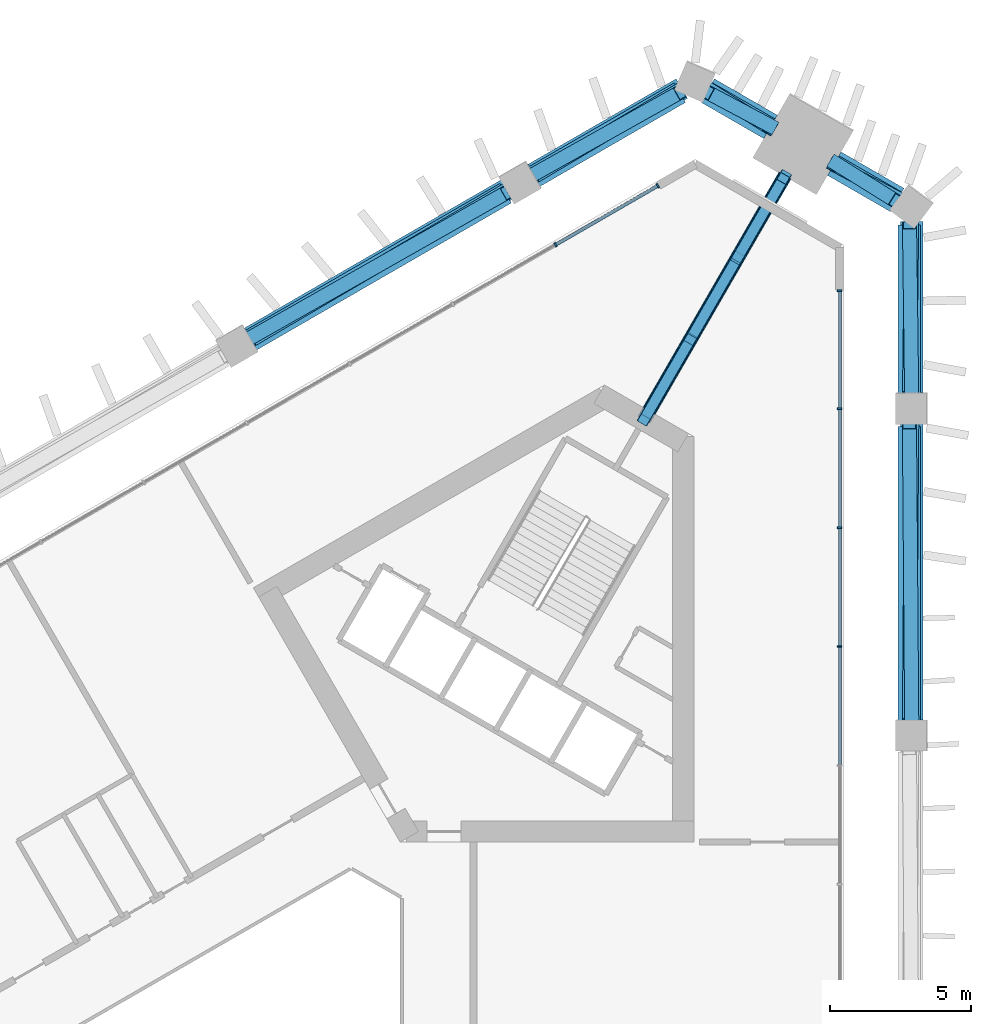
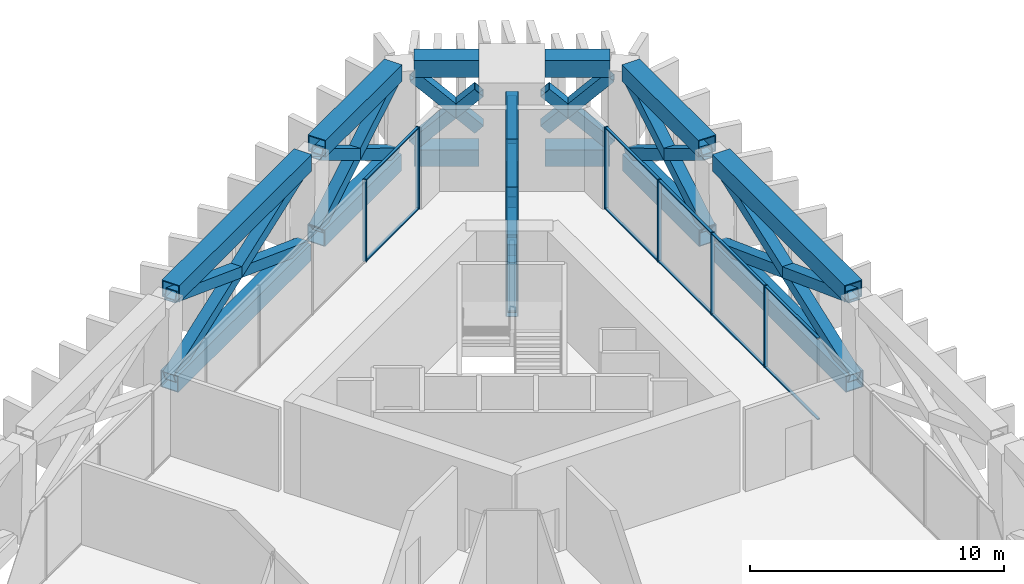
# One storey, part 10 of 17: 52 members, 2 elements without a shape of their own.
"""IFC4 building model written with IfcOpenShell, lengths in metres."""

from ifc_helpers import new_model, si_unit, direction, frame, origin, origin_2d, place, context, subcontext, project, spatial, rectangle, hollow_rectangle, extrude, material, layer, layer_set, material_profile, profile_set, type_object, element, aggregate, save


model = new_model("IFC4")

# Units and contexts
model_context = context("Model", 3, precision=1e-05, world=origin(), true_north=direction((0.0, 1.0)))
body_context = subcontext(model_context, "Body", "Model", "MODEL_VIEW")
ifc_project = project(units=[si_unit("LENGTHUNIT", "METRE"), si_unit("AREAUNIT", "SQUARE_METRE"), si_unit("VOLUMEUNIT", "CUBIC_METRE"), si_unit("PLANEANGLEUNIT", "RADIAN"), si_unit("MASSUNIT", "GRAM", prefix="KILO")], contexts=[model_context])

# Site, building, storey
site_placement = place(None, origin())
site = spatial("IfcSite", under=ifc_project, at=site_placement, CompositionType="ELEMENT")
building_placement = place(site_placement, origin())
building = spatial("IfcBuilding", under=site, at=building_placement, Name="Jabali Bay Hotel Tower and Convention Centre", CompositionType="ELEMENT")
storey_placement = place(building_placement, frame((0.0, 0.0, 102.39990234375)))
storey = spatial("IfcBuildingStorey", under=building, at=storey_placement, Name="L24", CompositionType="ELEMENT", Elevation=102.39990234375)

# Members
ifc_material_1 = material(Name="Steel Q420GJC", Category="steel")
ifc_material_profile_1 = material_profile(ifc_material_1, hollow_rectangle(XDim=0.5, YDim=0.5, WallThickness=0.030029296875, at=origin_2d()), Name="Belt brace 500x500x30")
ifc_profile_set_1 = profile_set([ifc_material_profile_1], Name="Steel Q420GJC")
member_type_1 = type_object("IfcMemberType", Name="Belt brace 500x500x30", PredefinedType="BRACE", material=ifc_profile_set_1)
member_1_placement = place(storey_placement, frame((92.6123046875, 113.103759765625, 1.297119140625), z_axis=(-0.625151543258, 0.33215395171, 0.706299724144), x_axis=(-0.46920170998, -0.883091023254, 0.0)))
element("IfcMember", 1, at=member_1_placement, inside=storey, type_object=member_type_1, Name="Belt brace T2 M1-V2 x1", PredefinedType="BRACE", context=body_context, shape_type="SweptSolid", body=[
    extrude(hollow_rectangle(XDim=0.5, YDim=0.5, WallThickness=0.030029296875, at=origin_2d()), origin(), (0.0, 0.0, 1.0), 3.6162109375),
])
member_2_placement = place(storey_placement, frame((90.3984375, 114.412353515625, 0.547119140625), z_axis=(0.601155993009, -0.37574772037, 0.70528371788), x_axis=(0.530024526579, 0.847982311858, 0.0)))
element("IfcMember", 2, at=member_2_placement, inside=storey, type_object=member_type_1, Name="Belt brace T2 M1-V2 x2", PredefinedType="BRACE", context=body_context, shape_type="SweptSolid", body=[
    extrude(hollow_rectangle(XDim=0.5, YDim=0.5, WallThickness=0.030029296875, at=origin_2d()), origin(), (0.0, 0.0, 1.0), 3.62939453125),
])
member_3_placement = place(storey_placement, frame((89.459228515625, 114.423095703125, 0.334228515625), z_axis=(-0.734817529099, -0.436386019084, 0.519240253907), x_axis=(0.51061497829, -0.859809481191, 0.0)))
element("IfcMember", 3, at=member_3_placement, inside=storey, type_object=member_type_1, Name="Belt brace T2 V2-F1.1 x1", PredefinedType="BRACE", context=body_context, shape_type="SweptSolid", body=[
    extrude(hollow_rectangle(XDim=0.5, YDim=0.5, WallThickness=0.030029296875, at=origin_2d()), origin(), (0.0, 0.0, 1.0), 7.186767578125),
])
member_4_placement = place(storey_placement, frame((84.221923828125, 111.39892578125, 0.3447265625), z_axis=(0.739102822637, 0.414362992183, 0.531065276853), x_axis=(-0.489021452064, 0.87227175778, 0.0)))
element("IfcMember", 4, at=member_4_placement, inside=storey, type_object=member_type_1, Name="Belt brace T2 V2-F1.1 x2", PredefinedType="BRACE", context=body_context, shape_type="SweptSolid", body=[
    extrude(hollow_rectangle(XDim=0.5, YDim=0.5, WallThickness=0.030029296875, at=origin_2d()), origin(), (0.0, 0.0, 1.0), 6.9873046875),
])
member_5_placement = place(storey_placement, frame((83.267822265625, 110.851318359375, 0.20849609375), z_axis=(-0.806265923934, -0.473763194384, 0.354236778935), x_axis=(0.506614205048, -0.862172863899, 0.0)))
element("IfcMember", 5, at=member_5_placement, inside=storey, type_object=member_type_1, Name="Belt brace T2 F1.1-F1.2 x1", PredefinedType="BRACE", context=body_context, shape_type="SweptSolid", body=[
    extrude(hollow_rectangle(XDim=0.5, YDim=0.5, WallThickness=0.030029296875, at=origin_2d()), origin(), (0.0, 0.0, 1.0), 11.244384765625),
])
member_6_placement = place(storey_placement, frame((74.202392578125, 105.617431640625, 0.2109375), z_axis=(0.812203812766, 0.460572560313, 0.358047319798), x_axis=(-0.493274994833, 0.869873427271, 0.0)))
element("IfcMember", 6, at=member_6_placement, inside=storey, type_object=member_type_1, Name="Belt brace T2 F1.1-F1.2 x2", PredefinedType="BRACE", context=body_context, shape_type="SweptSolid", body=[
    extrude(hollow_rectangle(XDim=0.5, YDim=0.5, WallThickness=0.030029296875, at=origin_2d()), origin(), (0.0, 0.0, 1.0), 11.111083984375),
])
member_7_placement = place(storey_placement, frame((97.583984375, 92.117919921875, 0.2109375), z_axis=(-0.007229101466, 0.933674709677, 0.358049265607), x_axis=(-0.999970027158, -0.007742401839, 0.0)))
element("IfcMember", 7, at=member_7_placement, inside=storey, type_object=member_type_1, Name="Belt brace T2 F0.4-F0.5 x1", PredefinedType="BRACE", context=body_context, shape_type="SweptSolid", body=[
    extrude(hollow_rectangle(XDim=0.5, YDim=0.5, WallThickness=0.030029296875, at=origin_2d()), origin(), (0.0, 0.0, 1.0), 11.11083984375),
])
member_8_placement = place(storey_placement, frame((97.584228515625, 102.5859375, 0.20849609375), z_axis=(-0.007165069022, -0.935128356662, 0.35423666997), x_axis=(0.999970647224, -0.007661898665, 0.0)))
element("IfcMember", 8, at=member_8_placement, inside=storey, type_object=member_type_1, Name="Belt brace T2 F0.4-F0.5 x2", PredefinedType="BRACE", context=body_context, shape_type="SweptSolid", body=[
    extrude(hollow_rectangle(XDim=0.5, YDim=0.5, WallThickness=0.030029296875, at=origin_2d()), origin(), (0.0, 0.0, 1.0), 11.244384765625),
])
member_9_placement = place(storey_placement, frame((97.581298828125, 103.685791015625, 0.3447265625), z_axis=(-0.010726676426, 0.847267676409, 0.53105783388), x_axis=(-0.999919867834, -0.012659301391, 0.0)))
element("IfcMember", 9, at=member_9_placement, inside=storey, type_object=member_type_1, Name="Belt brace T2 F0.5-V1 x1", PredefinedType="BRACE", context=body_context, shape_type="SweptSolid", body=[
    extrude(hollow_rectangle(XDim=0.5, YDim=0.5, WallThickness=0.030029296875, at=origin_2d()), origin(), (0.0, 0.0, 1.0), 6.9873046875),
])
member_10_placement = place(storey_placement, frame((97.58154296875, 109.733642578125, 0.334228515625), z_axis=(-0.01046294149, -0.854564143258, 0.519240456738), x_axis=(0.999925055556, -0.012242682347, 0.0)))
element("IfcMember", 10, at=member_10_placement, inside=storey, type_object=member_type_1, Name="Belt brace T2 F0.5-V1 x2", PredefinedType="BRACE", context=body_context, shape_type="SweptSolid", body=[
    extrude(hollow_rectangle(XDim=0.5, YDim=0.5, WallThickness=0.030029296875, at=origin_2d()), origin(), (0.0, 0.0, 1.0), 7.186767578125),
])
member_11_placement = place(storey_placement, frame((97.102783203125, 110.541748046875, 0.547119140625), z_axis=(-0.626030523079, 0.332690122182, 0.705268081496), x_axis=(-0.469277778127, -0.883050602715, 0.0)))
element("IfcMember", 11, at=member_11_placement, inside=storey, type_object=member_type_1, Name="Belt brace T2 V1-M1 x1", PredefinedType="BRACE", context=body_context, shape_type="SweptSolid", body=[
    extrude(hollow_rectangle(XDim=0.5, YDim=0.5, WallThickness=0.030029296875, at=origin_2d()), origin(), (0.0, 0.0, 1.0), 3.629638671875),
])
member_12_placement = place(storey_placement, frame((94.862548828125, 111.804443359375, 1.297119140625), z_axis=(0.600242237457, -0.375294859749, 0.706302360621), x_axis=(0.53014466139, 0.847907210725, 0.0)))
element("IfcMember", 12, at=member_12_placement, inside=storey, type_object=member_type_1, Name="Belt brace T2 V1-M1 x2", PredefinedType="BRACE", context=body_context, shape_type="SweptSolid", body=[
    extrude(hollow_rectangle(XDim=0.5, YDim=0.5, WallThickness=0.030029296875, at=origin_2d()), origin(), (0.0, 0.0, 1.0), 3.6162109375),
])
ifc_material_profile_2 = material_profile(ifc_material_1, hollow_rectangle(XDim=0.800048828125, YDim=0.800048828125, WallThickness=0.0400390625, at=origin_2d()), Name="Belt chord 800x800x40")
ifc_profile_set_2 = profile_set([ifc_material_profile_2], Name="Steel Q420GJC")
member_type_2 = type_object("IfcMemberType", Name="Belt chord 800x800x40", PredefinedType="CHORD", material=ifc_profile_set_2)
member_13_placement = place(storey_placement, frame((92.63427734375, 113.1435546875, 0.0), z_axis=(-0.866013163002, 0.500021201058, 0.0), x_axis=(-0.500021201058, -0.866013163002, 0.0)))
element("IfcMember", 13, at=member_13_placement, inside=storey, type_object=member_type_2, Name="Belt chord T2 M1-V2", PredefinedType="CHORD", context=body_context, shape_type="SweptSolid", body=[
    extrude(hollow_rectangle(XDim=0.800048828125, YDim=0.800048828125, WallThickness=0.0400390625, at=origin_2d()), origin(), (0.0, 0.0, 1.0), 2.5703125),
])
member_14_placement = place(storey_placement, frame((89.455810546875, 114.4287109375, 0.0), z_axis=(-0.866030962246, -0.499990372339, 0.0), x_axis=(0.499990372339, -0.866030962246, 0.0)))
element("IfcMember", 14, at=member_14_placement, inside=storey, type_object=member_type_2, Name="Belt chord T2 V2-F1.1", PredefinedType="CHORD", context=body_context, shape_type="SweptSolid", body=[
    extrude(hollow_rectangle(XDim=0.800048828125, YDim=0.800048828125, WallThickness=0.0400390625, at=origin_2d()), origin(), (0.0, 0.0, 1.0), 6.04736328125),
])
for number, where, z_axis, x_axis, name in (
    (15, (83.265869140625, 110.85498046875, 0.0), (-0.866032953093, -0.499986923987, 0.0), (0.499986923987, -0.866032953093, 0.0), "Belt chord T2 F1.1-F1.2"),
    (16, (97.58837890625, 92.117919921875, 0.0), (0.0, 1.0, 0.0), (-1.0, 0.0, 0.0), "Belt chord T2 F0.4-F0.5"),
):
    element("IfcMember", number, at=place(storey_placement, frame(where, z_axis=z_axis, x_axis=x_axis)), inside=storey, type_object=member_type_2, Name=name, PredefinedType="CHORD", context=body_context, shape_type="SweptSolid", body=[
        extrude(hollow_rectangle(XDim=0.800048828125, YDim=0.800048828125, WallThickness=0.0400390625, at=origin_2d()), origin(), (0.0, 0.0, 1.0), 10.468017578125),
    ])
member_15_placement = place(storey_placement, frame((97.58837890625, 103.685791015625, 0.0), z_axis=(0.0, 1.0, 0.0), x_axis=(-1.0, 0.0, 0.0)))
element("IfcMember", 17, at=member_15_placement, inside=storey, type_object=member_type_2, Name="Belt chord T2 F0.5-V1", PredefinedType="CHORD", context=body_context, shape_type="SweptSolid", body=[
    extrude(hollow_rectangle(XDim=0.800048828125, YDim=0.800048828125, WallThickness=0.0400390625, at=origin_2d()), origin(), (0.0, 0.0, 1.0), 6.047607421875),
])
member_16_placement = place(storey_placement, frame((97.112060546875, 110.55859375, 0.0), z_axis=(-0.866036909293, 0.499980071345, 0.0), x_axis=(-0.499980071345, -0.866036909293, 0.0)))
element("IfcMember", 18, at=member_16_placement, inside=storey, type_object=member_type_2, Name="Belt chord T2 V1-M1", PredefinedType="CHORD", context=body_context, shape_type="SweptSolid", body=[
    extrude(hollow_rectangle(XDim=0.800048828125, YDim=0.800048828125, WallThickness=0.0400390625, at=origin_2d()), origin(), (0.0, 0.0, 1.0), 2.5703125),
])
member_17_placement = place(storey_placement, frame((92.556884765625, 113.009521484375, 4.400146484375), z_axis=(-0.866031368865, 0.499989668035, 0.0), x_axis=(-0.499989668035, -0.866031368865, 0.0)))
element("IfcMember", 19, at=member_17_placement, inside=storey, type_object=member_type_2, Name="Belt chord T2 M1-V2", PredefinedType="CHORD", context=body_context, shape_type="SweptSolid", body=[
    extrude(hollow_rectangle(XDim=0.800048828125, YDim=0.800048828125, WallThickness=0.0400390625, at=origin_2d()), origin(), (0.0, 0.0, 1.0), 2.55712890625),
])
member_18_placement = place(storey_placement, frame((89.3896484375, 114.2880859375, 4.400146484375), z_axis=(-0.866026035623, -0.499998905622, 0.0), x_axis=(0.499998905622, -0.866026035623, 0.0)))
element("IfcMember", 20, at=member_18_placement, inside=storey, type_object=member_type_2, Name="Belt chord T2 V2-F1.1", PredefinedType="CHORD", context=body_context, shape_type="SweptSolid", body=[
    extrude(hollow_rectangle(XDim=0.800048828125, YDim=0.800048828125, WallThickness=0.0400390625, at=origin_2d()), origin(), (0.0, 0.0, 1.0), 6.013671875),
])
for number, where, z_axis, x_axis, name in (
    (21, (83.22900390625, 110.731201171875, 4.400146484375), (-0.866028751965, -0.499994200737, 0.0), (0.499994200737, -0.866028751965, 0.0), "Belt chord T2 F1.1-F1.2"),
    (22, (97.49951171875, 92.071044921875, 4.400146484375), (0.0, 1.0, 0.0), (-1.0, 0.0, 0.0), "Belt chord T2 F0.4-F0.5"),
):
    element("IfcMember", number, at=place(storey_placement, frame(where, z_axis=z_axis, x_axis=x_axis)), inside=storey, type_object=member_type_2, Name=name, PredefinedType="CHORD", context=body_context, shape_type="SweptSolid", body=[
        extrude(hollow_rectangle(XDim=0.800048828125, YDim=0.800048828125, WallThickness=0.0400390625, at=origin_2d()), origin(), (0.0, 0.0, 1.0), 10.4208984375),
    ])
member_19_placement = place(storey_placement, frame((97.49951171875, 103.592041015625, 4.400146484375), z_axis=(0.0, 1.0, 0.0), x_axis=(-1.0, 0.0, 0.0)))
element("IfcMember", 23, at=member_19_placement, inside=storey, type_object=member_type_2, Name="Belt chord T2 F0.5-V1", PredefinedType="CHORD", context=body_context, shape_type="SweptSolid", body=[
    extrude(hollow_rectangle(XDim=0.800048828125, YDim=0.800048828125, WallThickness=0.0400390625, at=origin_2d()), origin(), (0.0, 0.0, 1.0), 6.013671875),
])
member_20_placement = place(storey_placement, frame((97.023193359375, 110.430908203125, 4.400146484375), z_axis=(-0.866031368865, 0.499989668035, 0.0), x_axis=(-0.499989668035, -0.866031368865, 0.0)))
element("IfcMember", 24, at=member_20_placement, inside=storey, type_object=member_type_2, Name="Belt chord T2 V1-M1", PredefinedType="CHORD", context=body_context, shape_type="SweptSolid", body=[
    extrude(hollow_rectangle(XDim=0.800048828125, YDim=0.800048828125, WallThickness=0.0400390625, at=origin_2d()), origin(), (0.0, 0.0, 1.0), 2.55712890625),
])

# Curtain wall, members
ifc_material_2 = material(Name="Aluminium and glass", Category="aluminium")
ifc_layer = layer(ifc_material_2, 0.159912109375)
ifc_layer_set = layer_set([ifc_layer], Name="Aluminium and glass")
curtain_wall_type = type_object("IfcCurtainWallType", Name="CW3 curtain wall", PredefinedType="NOTDEFINED", material=ifc_layer_set)
curtain_wall_1_placement = place(storey_placement, origin())
curtain_wall_1 = element("IfcCurtainWall", 25, at=curtain_wall_1_placement, inside=storey, type_object=curtain_wall_type, Name="CW3 curtain wall east face L24", PredefinedType="NOTDEFINED")
ifc_material_3 = material(Name="Aluminium", Category="aluminium")
ifc_material_profile_3 = material_profile(ifc_material_3, rectangle(XDim=0.159912109375, YDim=0.06005859375, at=origin_2d()), Name="CW3 mullion 60 x 160")
ifc_profile_set_3 = profile_set([ifc_material_profile_3], Name="Aluminium")
member_type_3 = type_object("IfcMemberType", Name="CW3 mullion 60 x 160", PredefinedType="MULLION", material=ifc_profile_set_3)
member_21_placement = place(storey_placement, frame((95.038330078125, 107.28125, 0.0), z_axis=(0.0, 0.0, 1.0), x_axis=(1.0, 0.0, 0.0)))
member_21 = element("IfcMember", 26, at=member_21_placement, type_object=member_type_3, Name="CW3 mullion 1", PredefinedType="MULLION", context=body_context, shape_type="SweptSolid", body=[
    extrude(rectangle(XDim=0.159912109375, YDim=0.06005859375, at=origin_2d()), origin(), (0.0, 0.0, 1.0), 3.9501953125),
])
member_22_placement = place(storey_placement, frame((95.038330078125, 103.109619140625, 0.0), z_axis=(0.0, 0.0, 1.0), x_axis=(1.0, 0.0, 0.0)))
member_22 = element("IfcMember", 27, at=member_22_placement, type_object=member_type_3, Name="CW3 mullion 2", PredefinedType="MULLION", context=body_context, shape_type="SweptSolid", body=[
    extrude(rectangle(XDim=0.159912109375, YDim=0.06005859375, at=origin_2d()), origin(), (0.0, 0.0, 1.0), 3.9501953125),
])
member_23_placement = place(storey_placement, frame((95.038330078125, 98.90771484375, 0.0), z_axis=(0.0, 0.0, 1.0), x_axis=(1.0, 0.0, 0.0)))
member_23 = element("IfcMember", 28, at=member_23_placement, type_object=member_type_3, Name="CW3 mullion 3", PredefinedType="MULLION", context=body_context, shape_type="SweptSolid", body=[
    extrude(rectangle(XDim=0.159912109375, YDim=0.06005859375, at=origin_2d()), origin(), (0.0, 0.0, 1.0), 3.9501953125),
])
member_24_placement = place(storey_placement, frame((95.038330078125, 94.7060546875, 0.0), z_axis=(0.0, 0.0, 1.0), x_axis=(1.0, 0.0, 0.0)))
member_24 = element("IfcMember", 29, at=member_24_placement, type_object=member_type_3, Name="CW3 mullion 4", PredefinedType="MULLION", context=body_context, shape_type="SweptSolid", body=[
    extrude(rectangle(XDim=0.159912109375, YDim=0.06005859375, at=origin_2d()), origin(), (0.0, 0.0, 1.0), 3.9501953125),
])

curtain_wall_2_placement = place(storey_placement, origin())
curtain_wall_2 = element("IfcCurtainWall", 30, at=curtain_wall_2_placement, inside=storey, type_object=curtain_wall_type, Name="CW3 curtain wall north-west face L24", PredefinedType="NOTDEFINED")
member_25_placement = place(storey_placement, frame((84.994384765625, 108.908447265625, 0.0), z_axis=(0.0, 0.0, 1.0), x_axis=(-0.499999994256, 0.866025407101, 0.0)))
member_25 = element("IfcMember", 31, at=member_25_placement, type_object=member_type_3, Name="CW3 mullion 13", PredefinedType="MULLION", context=body_context, shape_type="SweptSolid", body=[
    extrude(rectangle(XDim=0.159912109375, YDim=0.06005859375, at=origin_2d()), origin(), (0.0, 0.0, 1.0), 3.9501953125),
])
member_26_placement = place(storey_placement, frame((88.607177734375, 110.994384765625, 0.0), z_axis=(0.0, 0.0, 1.0), x_axis=(-0.499999994256, 0.866025407101, 0.0)))
member_26 = element("IfcMember", 32, at=member_26_placement, type_object=member_type_3, Name="CW3 mullion 14", PredefinedType="MULLION", context=body_context, shape_type="SweptSolid", body=[
    extrude(rectangle(XDim=0.159912109375, YDim=0.06005859375, at=origin_2d()), origin(), (0.0, 0.0, 1.0), 3.9501953125),
])

# Member
ifc_material_profile_4 = material_profile(ifc_material_3, rectangle(XDim=0.1201171875, YDim=0.06005859375, at=origin_2d()), Name="CW3 transom 60 x 120")
ifc_profile_set_4 = profile_set([ifc_material_profile_4], Name="Aluminium")
member_type_4 = type_object("IfcMemberType", Name="CW3 transom 60 x 120", PredefinedType="USERDEFINED", material=ifc_profile_set_4)
member_27_placement = place(storey_placement, frame((95.038330078125, 107.251220703125, 0.030029296875), z_axis=(0.0, -1.0, 0.0), x_axis=(1.0, 0.0, 0.0)))
member_27 = element("IfcMember", 33, at=member_27_placement, type_object=member_type_4, Name="CW3 transom 1.1", ObjectType="TRANSOM", PredefinedType="USERDEFINED", context=body_context, shape_type="SweptSolid", body=[
    extrude(rectangle(XDim=0.1201171875, YDim=0.06005859375, at=origin_2d()), origin(), (0.0, 0.0, 1.0), 4.11181640625),
])

member_28_placement = place(storey_placement, frame((95.038330078125, 107.251220703125, 3.920166015625), z_axis=(0.0, -1.0, 0.0), x_axis=(1.0, 0.0, 0.0)))
member_28 = element("IfcMember", 34, at=member_28_placement, type_object=member_type_4, Name="CW3 transom 1.2", ObjectType="TRANSOM", PredefinedType="USERDEFINED", context=body_context, shape_type="SweptSolid", body=[
    extrude(rectangle(XDim=0.1201171875, YDim=0.06005859375, at=origin_2d()), origin(), (0.0, 0.0, 1.0), 4.11181640625),
])

member_29_placement = place(storey_placement, frame((95.038330078125, 103.07958984375, 0.030029296875), z_axis=(0.0, -1.0, 0.0), x_axis=(1.0, 0.0, 0.0)))
member_29 = element("IfcMember", 35, at=member_29_placement, type_object=member_type_4, Name="CW3 transom 2.1", ObjectType="TRANSOM", PredefinedType="USERDEFINED", context=body_context, shape_type="SweptSolid", body=[
    extrude(rectangle(XDim=0.1201171875, YDim=0.06005859375, at=origin_2d()), origin(), (0.0, 0.0, 1.0), 4.141845703125),
])

member_30_placement = place(storey_placement, frame((95.038330078125, 103.07958984375, 3.920166015625), z_axis=(0.0, -1.0, 0.0), x_axis=(1.0, 0.0, 0.0)))
member_30 = element("IfcMember", 36, at=member_30_placement, type_object=member_type_4, Name="CW3 transom 2.2", ObjectType="TRANSOM", PredefinedType="USERDEFINED", context=body_context, shape_type="SweptSolid", body=[
    extrude(rectangle(XDim=0.1201171875, YDim=0.06005859375, at=origin_2d()), origin(), (0.0, 0.0, 1.0), 4.141845703125),
])

member_31_placement = place(storey_placement, frame((95.038330078125, 98.877685546875, 0.030029296875), z_axis=(0.0, -1.0, 0.0), x_axis=(1.0, 0.0, 0.0)))
member_31 = element("IfcMember", 37, at=member_31_placement, type_object=member_type_4, Name="CW3 transom 3.1", ObjectType="TRANSOM", PredefinedType="USERDEFINED", context=body_context, shape_type="SweptSolid", body=[
    extrude(rectangle(XDim=0.1201171875, YDim=0.06005859375, at=origin_2d()), origin(), (0.0, 0.0, 1.0), 4.1416015625),
])

member_32_placement = place(storey_placement, frame((95.038330078125, 98.877685546875, 3.920166015625), z_axis=(0.0, -1.0, 0.0), x_axis=(1.0, 0.0, 0.0)))
member_32 = element("IfcMember", 38, at=member_32_placement, type_object=member_type_4, Name="CW3 transom 3.2", ObjectType="TRANSOM", PredefinedType="USERDEFINED", context=body_context, shape_type="SweptSolid", body=[
    extrude(rectangle(XDim=0.1201171875, YDim=0.06005859375, at=origin_2d()), origin(), (0.0, 0.0, 1.0), 4.1416015625),
])

member_33_placement = place(storey_placement, frame((95.038330078125, 94.676025390625, 0.030029296875), z_axis=(0.0, -1.0, 0.0), x_axis=(1.0, 0.0, 0.0)))
member_33 = element("IfcMember", 39, at=member_33_placement, type_object=member_type_4, Name="CW3 transom 4.1", ObjectType="TRANSOM", PredefinedType="USERDEFINED", context=body_context, shape_type="SweptSolid", body=[
    extrude(rectangle(XDim=0.1201171875, YDim=0.06005859375, at=origin_2d()), origin(), (0.0, 0.0, 1.0), 4.1416015625),
])

member_34_placement = place(storey_placement, frame((95.038330078125, 94.676025390625, 3.920166015625), z_axis=(0.0, -1.0, 0.0), x_axis=(1.0, 0.0, 0.0)))
member_34 = element("IfcMember", 40, at=member_34_placement, type_object=member_type_4, Name="CW3 transom 4.2", ObjectType="TRANSOM", PredefinedType="USERDEFINED", context=body_context, shape_type="SweptSolid", body=[
    extrude(rectangle(XDim=0.1201171875, YDim=0.06005859375, at=origin_2d()), origin(), (0.0, 0.0, 1.0), 4.1416015625),
])

aggregate(curtain_wall_1, [member_21, member_22, member_23, member_24, member_27, member_28, member_29, member_30, member_31, member_32, member_33, member_34])

member_35_placement = place(storey_placement, frame((85.020263671875, 108.92333984375, 0.030029296875), z_axis=(0.866016499285, 0.500015422728, 0.0), x_axis=(-0.500015422728, 0.866016499285, 0.0)))
member_35 = element("IfcMember", 41, at=member_35_placement, type_object=member_type_4, Name="CW3 transom 13.1", ObjectType="TRANSOM", PredefinedType="USERDEFINED", context=body_context, shape_type="SweptSolid", body=[
    extrude(rectangle(XDim=0.1201171875, YDim=0.06005859375, at=origin_2d()), origin(), (0.0, 0.0, 1.0), 4.111572265625),
])

member_36_placement = place(storey_placement, frame((85.020263671875, 108.92333984375, 3.920166015625), z_axis=(0.866016499285, 0.500015422728, 0.0), x_axis=(-0.500015422728, 0.866016499285, 0.0)))
member_36 = element("IfcMember", 42, at=member_36_placement, type_object=member_type_4, Name="CW3 transom 13.2", ObjectType="TRANSOM", PredefinedType="USERDEFINED", context=body_context, shape_type="SweptSolid", body=[
    extrude(rectangle(XDim=0.1201171875, YDim=0.06005859375, at=origin_2d()), origin(), (0.0, 0.0, 1.0), 4.111572265625),
])

aggregate(curtain_wall_2, [member_25, member_26, member_35, member_36])

# Members
ifc_material_profile_5 = material_profile(ifc_material_1, hollow_rectangle(XDim=0.39990234375, YDim=0.39990234375, WallThickness=0.011962890625, InnerFilletRadius=0.01806640625, OuterFilletRadius=0.030029296875, at=origin_2d()), Name="Outrigger brace 400x400x12")
ifc_profile_set_5 = profile_set([ifc_material_profile_5], Name="Steel Q420GJC")
member_type_5 = type_object("IfcMemberType", Name="Outrigger brace 400x400x12", PredefinedType="BRACE", material=ifc_profile_set_5)
member_37_placement = place(storey_placement, frame((88.114013671875, 102.714111328125, 0.25), z_axis=(0.344930435923, 0.597391031233, 0.723979937689), x_axis=(-0.866008729101, 0.500028880288, 0.0)))
element("IfcMember", 43, at=member_37_placement, inside=storey, type_object=member_type_5, Name="Outrigger brace T2 2.1x1", PredefinedType="BRACE", context=body_context, shape_type="SweptSolid", body=[
    extrude(hollow_rectangle(XDim=0.39990234375, YDim=0.39990234375, WallThickness=0.011962890625, InnerFilletRadius=0.01806640625, OuterFilletRadius=0.030029296875, at=origin_2d()), origin(), (0.0, 0.0, 1.0), 4.765625),
])
member_38_placement = place(storey_placement, frame((89.778076171875, 105.59619140625, 0.25), z_axis=(-0.347136982527, -0.601225363663, 0.71973882586), x_axis=(0.86601333025, -0.500020911392, 0.0)))
element("IfcMember", 44, at=member_38_placement, inside=storey, type_object=member_type_5, Name="Outrigger brace T2 2.1x2", PredefinedType="BRACE", context=body_context, shape_type="SweptSolid", body=[
    extrude(hollow_rectangle(XDim=0.39990234375, YDim=0.39990234375, WallThickness=0.011962890625, InnerFilletRadius=0.01806640625, OuterFilletRadius=0.030029296875, at=origin_2d()), origin(), (0.0, 0.0, 1.0), 4.793701171875),
])
member_39_placement = place(storey_placement, frame((89.778076171875, 105.59619140625, 0.25), z_axis=(0.342639149407, 0.593499035001, 0.728256348236), x_axis=(-0.866036573622, 0.499980652775, 0.0)))
element("IfcMember", 45, at=member_39_placement, inside=storey, type_object=member_type_5, Name="Outrigger brace T2 2.2x1", PredefinedType="BRACE", context=body_context, shape_type="SweptSolid", body=[
    extrude(hollow_rectangle(XDim=0.39990234375, YDim=0.39990234375, WallThickness=0.011962890625, InnerFilletRadius=0.01806640625, OuterFilletRadius=0.030029296875, at=origin_2d()), origin(), (0.0, 0.0, 1.0), 4.737548828125),
])
member_40_placement = place(storey_placement, frame((91.44189453125, 108.478271484375, 0.25), z_axis=(-0.349260482235, -0.605003407107, 0.715533362561), x_axis=(0.866049203562, -0.49995877531, 0.0)))
element("IfcMember", 46, at=member_40_placement, inside=storey, type_object=member_type_5, Name="Outrigger brace T2 2.2x2", PredefinedType="BRACE", context=body_context, shape_type="SweptSolid", body=[
    extrude(hollow_rectangle(XDim=0.39990234375, YDim=0.39990234375, WallThickness=0.011962890625, InnerFilletRadius=0.01806640625, OuterFilletRadius=0.030029296875, at=origin_2d()), origin(), (0.0, 0.0, 1.0), 4.82177734375),
])
member_41_placement = place(storey_placement, frame((91.44189453125, 108.478271484375, 0.25), z_axis=(0.340398895488, 0.589516771491, 0.732528885493), x_axis=(-0.865999177177, 0.500045423065, 0.0)))
element("IfcMember", 47, at=member_41_placement, inside=storey, type_object=member_type_5, Name="Outrigger brace T2 2.3x1", PredefinedType="BRACE", context=body_context, shape_type="SweptSolid", body=[
    extrude(hollow_rectangle(XDim=0.39990234375, YDim=0.39990234375, WallThickness=0.011962890625, InnerFilletRadius=0.01806640625, OuterFilletRadius=0.030029296875, at=origin_2d()), origin(), (0.0, 0.0, 1.0), 4.7099609375),
])
member_42_placement = place(storey_placement, frame((93.105712890625, 111.360107421875, 0.25), z_axis=(-0.351401607926, -0.608673290795, 0.711360481767), x_axis=(0.866035310744, -0.49998284025, 0.0)))
element("IfcMember", 48, at=member_42_placement, inside=storey, type_object=member_type_5, Name="Outrigger brace T2 2.3x2", PredefinedType="BRACE", context=body_context, shape_type="SweptSolid", body=[
    extrude(hollow_rectangle(XDim=0.39990234375, YDim=0.39990234375, WallThickness=0.011962890625, InnerFilletRadius=0.01806640625, OuterFilletRadius=0.030029296875, at=origin_2d()), origin(), (0.0, 0.0, 1.0), 4.85009765625),
])
ifc_material_profile_6 = material_profile(ifc_material_1, hollow_rectangle(XDim=0.5, YDim=0.5, WallThickness=0.01611328125, InnerFilletRadius=0.02392578125, OuterFilletRadius=0.0400390625, at=origin_2d()), Name="Outrigger chord 500x500x16")
ifc_profile_set_6 = profile_set([ifc_material_profile_6], Name="Steel Q420GJC")
member_type_6 = type_object("IfcMemberType", Name="Outrigger chord 500x500x16", PredefinedType="CHORD", material=ifc_profile_set_6)
for number, where, z_axis, x_axis, name in (
    (49, (88.114013671875, 102.714111328125, 0.25), (0.500020911392, 0.86601333025, 0.0), (-0.86601333025, 0.500020911392, 0.0), "Outrigger chord T2 2.lo1"),
    (50, (89.778076171875, 105.59619140625, 0.25), (0.499965889992, 0.866045096311, 0.0), (-0.866045096311, 0.499965889992, 0.0), "Outrigger chord T2 2.lo2"),
):
    element("IfcMember", number, at=place(storey_placement, frame(where, z_axis=z_axis, x_axis=x_axis)), inside=storey, type_object=member_type_6, Name=name, PredefinedType="CHORD", context=body_context, shape_type="SweptSolid", body=[
        extrude(hollow_rectangle(XDim=0.5, YDim=0.5, WallThickness=0.01611328125, InnerFilletRadius=0.02392578125, OuterFilletRadius=0.0400390625, at=origin_2d()), origin(), (0.0, 0.0, 1.0), 3.327880859375),
    ])
member_43_placement = place(storey_placement, frame((91.44189453125, 108.478271484375, 0.25), z_axis=(0.499997657153, 0.866026756424, 0.0), x_axis=(-0.866026756424, 0.499997657153, 0.0)))
element("IfcMember", 51, at=member_43_placement, inside=storey, type_object=member_type_6, Name="Outrigger chord T2 2.lo3", PredefinedType="CHORD", context=body_context, shape_type="SweptSolid", body=[
    extrude(hollow_rectangle(XDim=0.5, YDim=0.5, WallThickness=0.01611328125, InnerFilletRadius=0.02392578125, OuterFilletRadius=0.0400390625, at=origin_2d()), origin(), (0.0, 0.0, 1.0), 3.32763671875),
])
for number, where, z_axis, x_axis, name in (
    (52, (88.114013671875, 102.714111328125, 3.7001953125), (0.500028880288, 0.866008729101, 0.0), (-0.866008729101, 0.500028880288, 0.0), "Outrigger chord T2 2.hi1"),
    (53, (89.7578125, 105.56103515625, 3.7001953125), (0.499973180286, 0.8660408876, 0.0), (-0.8660408876, 0.499973180286, 0.0), "Outrigger chord T2 2.hi2"),
    (54, (91.4013671875, 108.407958984375, 3.7001953125), (0.500028880288, 0.866008729101, 0.0), (-0.866008729101, 0.500028880288, 0.0), "Outrigger chord T2 2.hi3"),
):
    element("IfcMember", number, at=place(storey_placement, frame(where, z_axis=z_axis, x_axis=x_axis)), inside=storey, type_object=member_type_6, Name=name, PredefinedType="CHORD", context=body_context, shape_type="SweptSolid", body=[
        extrude(hollow_rectangle(XDim=0.5, YDim=0.5, WallThickness=0.01611328125, InnerFilletRadius=0.02392578125, OuterFilletRadius=0.0400390625, at=origin_2d()), origin(), (0.0, 0.0, 1.0), 3.287353515625),
    ])

save(model, "model.ifc")
